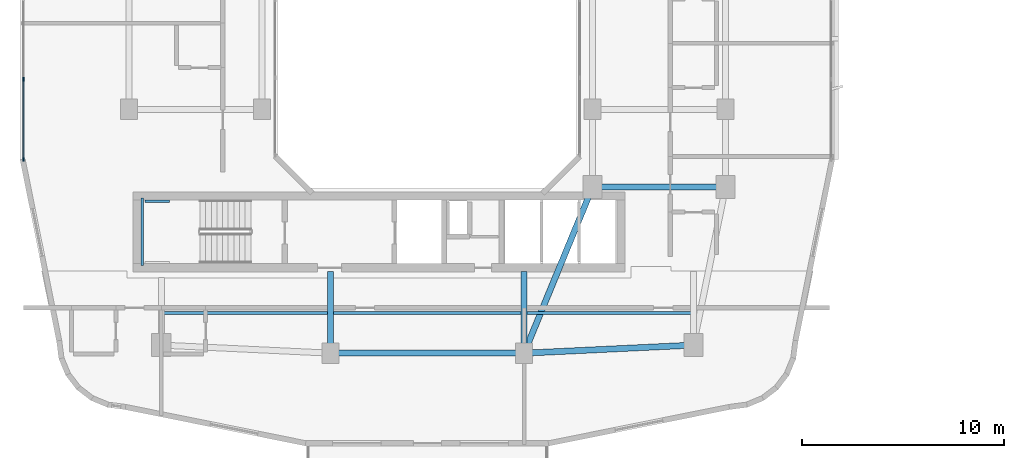
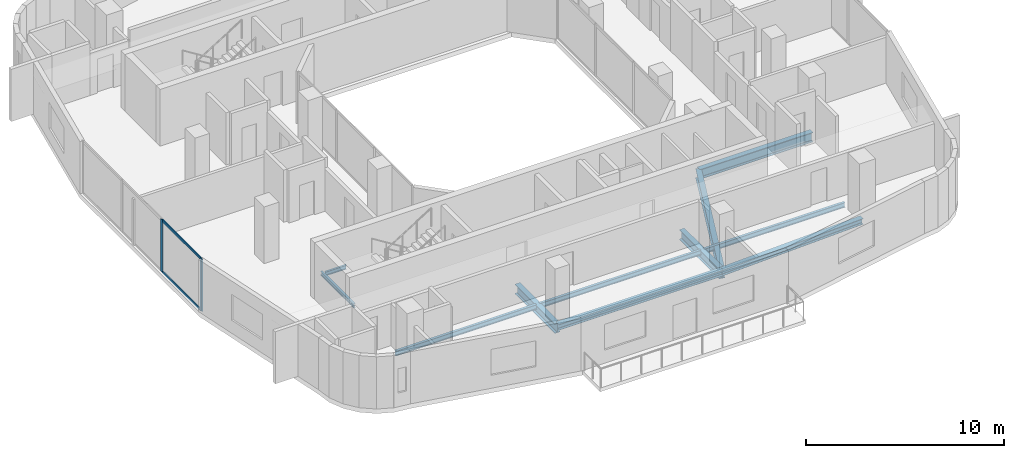
# One storey, part 2 of 26: 11 beams, 4 members, 1 element without a shape of its own.
"""IFC4 building model written with IfcOpenShell, lengths in metres."""

from ifc_helpers import new_model, si_unit, derived_unit, direction, frame, origin, origin_2d, place, context, subcontext, project, spatial, rectangle, i_section, extrude, material, layer, layer_set, material_profile, profile_set, type_object, element, aggregate, save


model = new_model("IFC4")

# Units and contexts
model_context = context("Model", 3, precision=1e-05, world=origin(), true_north=direction((0.0, 1.0)))
body_context = subcontext(model_context, "Body", "Model", "MODEL_VIEW")
ifc_project = project(units=[si_unit("LENGTHUNIT", "METRE"), si_unit("AREAUNIT", "SQUARE_METRE"), si_unit("VOLUMEUNIT", "CUBIC_METRE"), si_unit("PLANEANGLEUNIT", "RADIAN"), si_unit("MASSUNIT", "GRAM", prefix="KILO"), derived_unit("THERMALTRANSMITTANCEUNIT", [(si_unit("POWERUNIT", "WATT"), 1), (si_unit("LENGTHUNIT", "METRE"), -2), (si_unit("THERMODYNAMICTEMPERATUREUNIT", "KELVIN"), -1)])], contexts=[model_context])

# Site, building, storey
site_placement = place(None, origin())
site = spatial("IfcSite", under=ifc_project, at=site_placement, CompositionType="ELEMENT")
building_placement = place(site_placement, origin())
building = spatial("IfcBuilding", under=site, at=building_placement, Name="Kivonza Crest Hotel", CompositionType="ELEMENT")
storey_placement = place(building_placement, frame((0.0, 0.0, 95.0)))
storey = spatial("IfcBuildingStorey", under=building, at=storey_placement, Name="L25", CompositionType="ELEMENT", Elevation=95.0)

# Beams
ifc_material_1 = material(Name="Steel S355", Category="steel")
ifc_material_profile_1 = material_profile(ifc_material_1, i_section(OverallWidth=0.300048828125, OverallDepth=0.360107421875, WebThickness=0.012451171875, FlangeThickness=0.0224609375, FilletRadius=0.027099609375, at=origin_2d()), Name="HEB 360")
ifc_profile_set_1 = profile_set([ifc_material_profile_1], Name="Steel S355")
beam_type_1 = type_object("IfcBeamType", Name="BM-HEB360", PredefinedType="SPANDREL", material=ifc_profile_set_1)
beam_1_placement = place(storey_placement, frame((16.199951171875, 9.39990234375, -0.4599609375), z_axis=(1.0, 0.0, 0.0), x_axis=(0.0, 1.0, 0.0)))
element("IfcBeam", 1, at=beam_1_placement, inside=storey, type_object=beam_type_1, Name="Tower T1 L25 perimeter spandrel S1-S2", PredefinedType="SPANDREL", context=body_context, shape_type="SweptSolid", body=[
    extrude(i_section(OverallWidth=0.300048828125, OverallDepth=0.360107421875, WebThickness=0.012451171875, FlangeThickness=0.0224609375, FilletRadius=0.027099609375, at=origin_2d()), origin(), (0.0, 0.0, 1.0), 9.60009765625),
])
beam_2_placement = place(storey_placement, frame((25.800048828125, 9.39990234375, -0.4599609375), z_axis=(0.998867283688, 0.047583080799, 0.0), x_axis=(-0.047583080799, 0.998867283688, 0.0)))
element("IfcBeam", 2, at=beam_2_placement, inside=storey, type_object=beam_type_1, Name="Tower T1 L25 perimeter spandrel S2-SE", PredefinedType="SPANDREL", context=body_context, shape_type="SweptSolid", body=[
    extrude(i_section(OverallWidth=0.300048828125, OverallDepth=0.360107421875, WebThickness=0.012451171875, FlangeThickness=0.0224609375, FilletRadius=0.027099609375, at=origin_2d()), origin(), (0.0, 0.0, 1.0), 8.409423828125),
])
ifc_material_profile_2 = material_profile(ifc_material_1, i_section(OverallWidth=0.300048828125, OverallDepth=0.60009765625, WebThickness=0.015380859375, FlangeThickness=0.030029296875, FilletRadius=0.027099609375, at=origin_2d()), Name="HEB 600")
ifc_profile_set_2 = profile_set([ifc_material_profile_2], Name="Steel S355")
beam_type_2 = type_object("IfcBeamType", Name="BM-HEB600", PredefinedType="BEAM", material=ifc_profile_set_2)
beam_3_placement = place(storey_placement, frame((25.800048828125, 9.39990234375, -0.580078125), z_axis=(0.381022260404, 0.924565864109, 0.0), x_axis=(-0.924565864109, 0.381022260404, 0.0)))
element("IfcBeam", 3, at=beam_3_placement, inside=storey, type_object=beam_type_2, Name="Tower T1 L25 primary girder S1-TSE", PredefinedType="BEAM", context=body_context, shape_type="SweptSolid", body=[
    extrude(i_section(OverallWidth=0.300048828125, OverallDepth=0.60009765625, WebThickness=0.015380859375, FlangeThickness=0.030029296875, FilletRadius=0.027099609375, at=origin_2d()), origin(), (0.0, 0.0, 1.0), 8.923095703125),
])
beam_4_placement = place(storey_placement, frame((29.199951171875, 17.64990234375, -0.580078125), z_axis=(1.0, 0.0, 0.0), x_axis=(0.0, 1.0, 0.0)))
element("IfcBeam", 4, at=beam_4_placement, inside=storey, type_object=beam_type_2, Name="Tower T1 L25 primary girder TSE-PSE", PredefinedType="BEAM", context=body_context, shape_type="SweptSolid", body=[
    extrude(i_section(OverallWidth=0.300048828125, OverallDepth=0.60009765625, WebThickness=0.015380859375, FlangeThickness=0.030029296875, FilletRadius=0.027099609375, at=origin_2d()), origin(), (0.0, 0.0, 1.0), 6.60009765625),
])
for number, where, z_axis, x_axis, name in (
    (5, (16.199951171875, 9.39990234375, -0.580078125), (0.0, 1.0, 0.0), (-1.0, 0.0, 0.0), "Tower T1 L25 radial core girder RS1"),
    (6, (25.800048828125, 9.39990234375, -0.580078125), (0.0, 1.0, 0.0), (-1.0, 0.0, 0.0), "Tower T1 L25 radial core girder RS2"),
):
    element("IfcBeam", number, at=place(storey_placement, frame(where, z_axis=z_axis, x_axis=x_axis)), inside=storey, type_object=beam_type_2, Name=name, PredefinedType="BEAM", context=body_context, shape_type="SweptSolid", body=[
        extrude(i_section(OverallWidth=0.300048828125, OverallDepth=0.60009765625, WebThickness=0.015380859375, FlangeThickness=0.030029296875, FilletRadius=0.027099609375, at=origin_2d()), origin(), (0.0, 0.0, 1.0), 4.050048828125),
    ])
ifc_material_profile_3 = material_profile(ifc_material_1, i_section(OverallWidth=0.14990234375, OverallDepth=0.300048828125, WebThickness=0.007080078125, FlangeThickness=0.0107421875, FilletRadius=0.014892578125, at=origin_2d()), Name="IPE 300")
ifc_profile_set_3 = profile_set([ifc_material_profile_3], Name="Steel S355")
beam_type_3 = type_object("IfcBeamType", Name="BM-IPE300", PredefinedType="JOIST", material=ifc_profile_set_3)
beam_5_placement = place(storey_placement, frame((7.8798828125, 11.39990234375, -0.429931640625), z_axis=(1.0, 0.0, 0.0), x_axis=(0.0, 1.0, 0.0)))
element("IfcBeam", 7, at=beam_5_placement, inside=storey, type_object=beam_type_3, Name="Tower T1 L25 South-West floor joist", PredefinedType="JOIST", context=body_context, shape_type="SweptSolid", body=[
    extrude(i_section(OverallWidth=0.14990234375, OverallDepth=0.300048828125, WebThickness=0.007080078125, FlangeThickness=0.0107421875, FilletRadius=0.014892578125, at=origin_2d()), origin(), (0.0, 0.0, 1.0), 8.240234375),
])
beam_6_placement = place(storey_placement, frame((16.280029296875, 11.39990234375, -0.429931640625), z_axis=(1.0, 0.0, 0.0), x_axis=(0.0, 1.0, 0.0)))
element("IfcBeam", 8, at=beam_6_placement, inside=storey, type_object=beam_type_3, Name="Tower T1 L25 South-Mid floor joist", PredefinedType="JOIST", context=body_context, shape_type="SweptSolid", body=[
    extrude(i_section(OverallWidth=0.14990234375, OverallDepth=0.300048828125, WebThickness=0.007080078125, FlangeThickness=0.0107421875, FilletRadius=0.014892578125, at=origin_2d()), origin(), (0.0, 0.0, 1.0), 9.43994140625),
])
beam_7_placement = place(storey_placement, frame((25.8798828125, 11.39990234375, -0.429931640625), z_axis=(1.0, 0.0, 0.0), x_axis=(0.0, 1.0, 0.0)))
element("IfcBeam", 9, at=beam_7_placement, inside=storey, type_object=beam_type_3, Name="Tower T1 L25 South-East floor joist", PredefinedType="JOIST", context=body_context, shape_type="SweptSolid", body=[
    extrude(i_section(OverallWidth=0.14990234375, OverallDepth=0.300048828125, WebThickness=0.007080078125, FlangeThickness=0.0107421875, FilletRadius=0.014892578125, at=origin_2d()), origin(), (0.0, 0.0, 1.0), 8.240234375),
])
ifc_material_profile_4 = material_profile(ifc_material_1, i_section(OverallWidth=0.1201171875, OverallDepth=0.239990234375, WebThickness=0.006103515625, FlangeThickness=0.009765625, FilletRadius=0.014892578125, at=origin_2d()), Name="IPE 240")
ifc_profile_set_4 = profile_set([ifc_material_profile_4], Name="Steel S355")
beam_type_4 = type_object("IfcBeamType", Name="BM-LLDG-240", PredefinedType="BEAM", material=ifc_profile_set_4)
beam_8_placement = place(storey_placement, frame((6.860107421875, 13.739990234375, 1.429931640625), z_axis=(0.0, 1.0, 0.0), x_axis=(-1.0, 0.0, 0.0)))
element("IfcBeam", 10, at=beam_8_placement, inside=storey, type_object=beam_type_4, Name="Stair ST-T1-S L25 West landing corbel", PredefinedType="BEAM", context=body_context, shape_type="SweptSolid", body=[
    extrude(i_section(OverallWidth=0.1201171875, OverallDepth=0.239990234375, WebThickness=0.006103515625, FlangeThickness=0.009765625, FilletRadius=0.014892578125, at=origin_2d()), origin(), (0.0, 0.0, 1.0), 3.360107421875),
])
beam_9_placement = place(storey_placement, frame((6.989990234375, 16.93994140625, 1.429931640625), z_axis=(1.0, 0.0, 0.0), x_axis=(0.0, 1.0, 0.0)))
element("IfcBeam", 11, at=beam_9_placement, inside=storey, type_object=beam_type_4, Name="Stair ST-T1-S L25 North landing corbel", PredefinedType="BEAM", context=body_context, shape_type="SweptSolid", body=[
    extrude(i_section(OverallWidth=0.1201171875, OverallDepth=0.239990234375, WebThickness=0.006103515625, FlangeThickness=0.009765625, FilletRadius=0.014892578125, at=origin_2d()), origin(), (0.0, 0.0, 1.0), 1.2099609375),
])

# Curtain wall, members
ifc_material_2 = material(Name="Anodised bronze aluminium and low-E double glazing", Category="aluminium")
ifc_layer = layer(ifc_material_2, 0.179931640625)
ifc_layer_set = layer_set([ifc_layer], Name="Anodised bronze aluminium and low-E double glazing")
curtain_wall_type = type_object("IfcCurtainWallType", Name="CW-SYS-2", PredefinedType="NOTDEFINED", material=ifc_layer_set)
curtain_wall_placement = place(storey_placement, origin())
curtain_wall = element("IfcCurtainWall", 12, at=curtain_wall_placement, inside=storey, type_object=curtain_wall_type, Name="L25 unitised curtain wall CW-T1-L25-35", PredefinedType="NOTDEFINED")
ifc_material_3 = material(Name="Anodised bronze aluminium", Category="aluminium")
ifc_material_profile_5 = material_profile(ifc_material_3, rectangle(XDim=0.06494140625, YDim=0.179931640625, at=origin_2d()), Name="CW-M 65x180")
ifc_profile_set_5 = profile_set([ifc_material_profile_5], Name="Anodised bronze aluminium")
member_type_1 = type_object("IfcMemberType", Name="CW-MUL-65x180", PredefinedType="MULLION", material=ifc_profile_set_5)
member_1_placement = place(storey_placement, frame((0.9599609375, 22.993408203125, 0.0), z_axis=(0.0, 0.0, 1.0), x_axis=(1.0, 0.0, 0.0)))
member_1 = element("IfcMember", 13, at=member_1_placement, type_object=member_type_1, Name="CW-2 mullion 3", PredefinedType="MULLION", context=body_context, shape_type="SweptSolid", body=[
    extrude(rectangle(XDim=0.06494140625, YDim=0.179931640625, at=origin_2d()), origin(), (0.0, 0.0, 1.0), 3.219970703125),
])
member_2_placement = place(storey_placement, frame((0.9599609375, 19.012451171875, 0.0), z_axis=(0.0, 0.0, 1.0), x_axis=(1.0, 0.0, 0.0)))
member_2 = element("IfcMember", 14, at=member_2_placement, type_object=member_type_1, Name="CW-2 mullion 4", PredefinedType="MULLION", context=body_context, shape_type="SweptSolid", body=[
    extrude(rectangle(XDim=0.06494140625, YDim=0.179931640625, at=origin_2d()), origin(), (0.0, 0.0, 1.0), 3.219970703125),
])
ifc_material_profile_6 = material_profile(ifc_material_3, rectangle(XDim=0.06494140625, YDim=0.139892578125, at=origin_2d()), Name="CW-T 65x140")
ifc_profile_set_6 = profile_set([ifc_material_profile_6], Name="Anodised bronze aluminium")
member_type_2 = type_object("IfcMemberType", Name="CW-TRN-65x140", PredefinedType="USERDEFINED", material=ifc_profile_set_6)
member_3_placement = place(storey_placement, frame((0.9599609375, 22.9609375, 0.032470703125), z_axis=(0.0, -1.0, 0.0), x_axis=(1.0, 0.0, 0.0)))
member_3 = element("IfcMember", 15, at=member_3_placement, type_object=member_type_2, Name="CW-2 transom 3.1", ObjectType="TRANSOM", PredefinedType="USERDEFINED", context=body_context, shape_type="SweptSolid", body=[
    extrude(rectangle(XDim=0.06494140625, YDim=0.139892578125, at=origin_2d()), origin(), (0.0, 0.0, 1.0), 3.916015625),
])
member_4_placement = place(storey_placement, frame((0.9599609375, 22.9609375, 3.1875), z_axis=(0.0, -1.0, 0.0), x_axis=(1.0, 0.0, 0.0)))
member_4 = element("IfcMember", 16, at=member_4_placement, type_object=member_type_2, Name="CW-2 transom 3.2", ObjectType="TRANSOM", PredefinedType="USERDEFINED", context=body_context, shape_type="SweptSolid", body=[
    extrude(rectangle(XDim=0.06494140625, YDim=0.139892578125, at=origin_2d()), origin(), (0.0, 0.0, 1.0), 3.916015625),
])
aggregate(curtain_wall, [member_1, member_2, member_3, member_4])

save(model, "model.ifc")
